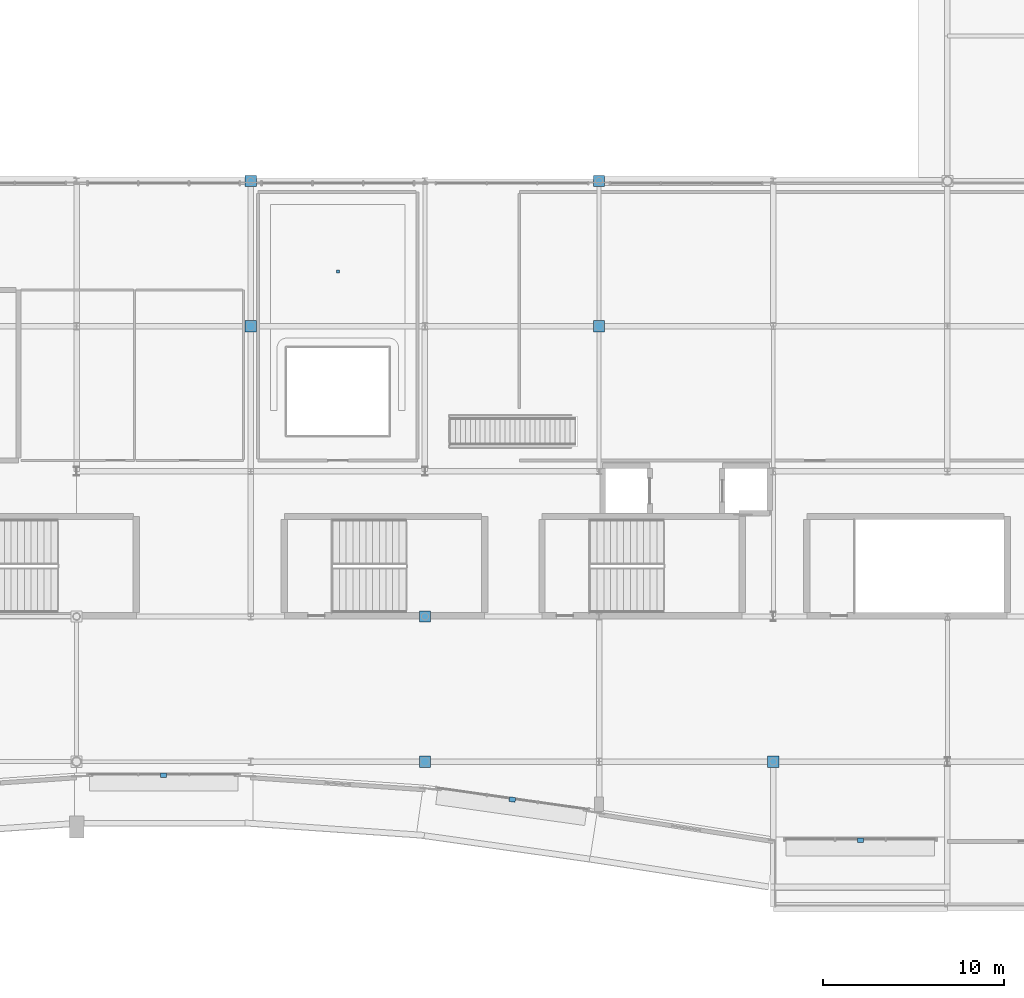
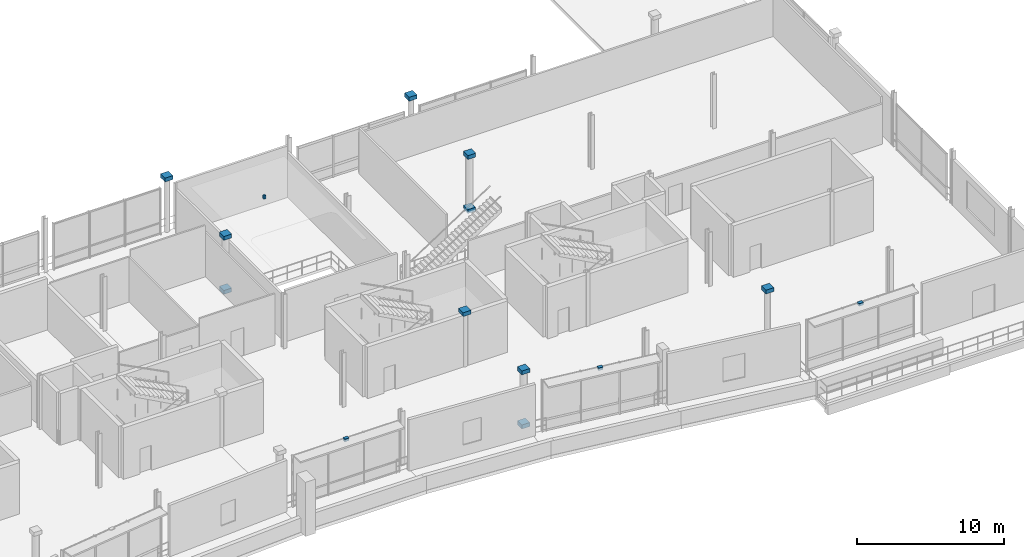
# One storey, part 44 of 59: 14 discrete accessories.
"""IFC4 building model written with IfcOpenShell, lengths in metres."""

from ifc_helpers import new_model, si_unit, direction, frame, origin, origin_2d, place, context, subcontext, project, spatial, rectangle, extrude, material, type_object, element, save


model = new_model("IFC4")

# Units and contexts
model_context = context("Model", 3, precision=1e-05, world=origin(), true_north=direction((0.0, 1.0)))
body_context = subcontext(model_context, "Body", "Model", "MODEL_VIEW")
ifc_project = project(units=[si_unit("LENGTHUNIT", "METRE"), si_unit("AREAUNIT", "SQUARE_METRE"), si_unit("VOLUMEUNIT", "CUBIC_METRE"), si_unit("PLANEANGLEUNIT", "RADIAN"), si_unit("MASSUNIT", "GRAM", prefix="KILO")], contexts=[model_context])

# Site, building, storey
site_placement = place(None, origin())
site = spatial("IfcSite", under=ifc_project, at=site_placement, CompositionType="ELEMENT")
building_placement = place(site_placement, origin())
building = spatial("IfcBuilding", under=site, at=building_placement, Name="Danafjord Basin Convention Centre", CompositionType="ELEMENT")
storey_placement = place(building_placement, frame((0.0, 0.0, 15.89990234375)))
storey = spatial("IfcBuildingStorey", under=building, at=storey_placement, Name="L03", CompositionType="ELEMENT", Elevation=15.89990234375)

# Discrete accessories
ifc_material_1 = material(Name="Stainless steel EN 1.4404", Category="steel")
discrete_accessory_type_1 = type_object("IfcDiscreteAccessoryType", Name="ACC-FIN-BRK", PredefinedType="BRACKET", material=ifc_material_1)
for number, where, z_axis, x_axis, name in (
    (1, (62.39990234375, 7.25, 4.10400390625), (0.0, 0.0, 1.0), (1.0, 0.0, 0.0), "Sunshade tie-back bracket"),
    (2, (81.619384765625, 5.90966796875, 4.10400390625), (0.0, 0.0, 1.0), (0.990128157327, -0.140165017276, 0.0), "Sunshade tie-back bracket"),
    (3, (100.800048828125, 3.669921875, 4.10400390625), (0.0, 0.0, 1.0), (1.0, 0.0, 0.0), "Sunshade tie-back bracket"),
):
    element("IfcDiscreteAccessory", number, at=place(storey_placement, frame(where, z_axis=z_axis, x_axis=x_axis)), inside=storey, type_object=discrete_accessory_type_1, Name=name, PredefinedType="BRACKET", context=body_context, shape_type="SweptSolid", body=[
        extrude(rectangle(XDim=0.340087890625, YDim=0.260009765625, at=origin_2d()), origin(), (0.0, 0.0, 1.0), 0.219970703125),
    ])
discrete_accessory_placement = place(storey_placement, frame((72.0, 35.02490234375, 4.01025390625), z_axis=(0.0, 0.0, 1.0), x_axis=(1.0, 0.0, 0.0)))
element("IfcDiscreteAccessory", 4, at=discrete_accessory_placement, inside=storey, type_object=discrete_accessory_type_1, Name="Suspended ceiling steel hanger assembly", PredefinedType="BRACKET", context=body_context, shape_type="SweptSolid", body=[
    extrude(rectangle(XDim=0.159912109375, YDim=0.159912109375, at=origin_2d()), origin(), (0.0, 0.0, 1.0), 0.285888671875),
])
ifc_material_2 = material(Name="Steel S355", Category="steel")
discrete_accessory_type_2 = type_object("IfcDiscreteAccessoryType", Name="ACC-SF-HUB", PredefinedType="BRACKET", material=ifc_material_2)
for number, where, z_axis, x_axis, name in (
    (5, (67.199951171875, 32.0, -0.16015625), (0.0, 0.0, 1.0), (1.0, 0.0, 0.0), "Tubular steel column transition collar"),
    (6, (67.199951171875, 32.0, 4.33984375), (0.0, 0.0, 1.0), (1.0, 0.0, 0.0), "Tubular steel column top cap plate"),
    (7, (67.199951171875, 40.0, 4.33984375), (0.0, 0.0, 1.0), (1.0, 0.0, 0.0), "Tubular steel column top cap plate"),
    (8, (76.800048828125, 8.0, -0.16015625), (0.0, 0.0, 1.0), (1.0, 0.0, 0.0), "Tubular steel column transition collar"),
    (9, (76.800048828125, 8.0, 4.33984375), (0.0, 0.0, 1.0), (1.0, 0.0, 0.0), "Tubular steel column top cap plate"),
    (10, (76.800048828125, 16.0, 4.33984375), (0.0, 0.0, 1.0), (1.0, 0.0, 0.0), "Tubular steel column top cap plate"),
    (11, (86.39990234375, 32.0, -0.16015625), (0.0, 0.0, 1.0), (1.0, 0.0, 0.0), "Tubular steel column transition collar"),
    (12, (86.39990234375, 32.0, 4.33984375), (0.0, 0.0, 1.0), (1.0, 0.0, 0.0), "Tubular steel column top cap plate"),
    (13, (86.39990234375, 40.0, 4.33984375), (0.0, 0.0, 1.0), (1.0, 0.0, 0.0), "Tubular steel column top cap plate"),
    (14, (96.0, 8.0, 4.33984375), (0.0, 0.0, 1.0), (1.0, 0.0, 0.0), "Tubular steel column top cap plate"),
):
    element("IfcDiscreteAccessory", number, at=place(storey_placement, frame(where, z_axis=z_axis, x_axis=x_axis)), inside=storey, type_object=discrete_accessory_type_2, Name=name, PredefinedType="BRACKET", context=body_context, shape_type="SweptSolid", body=[
        extrude(rectangle(XDim=0.6201171875, YDim=0.6201171875, at=origin_2d()), origin(), (0.0, 0.0, 1.0), 0.320068359375),
    ])

save(model, "model.ifc")
